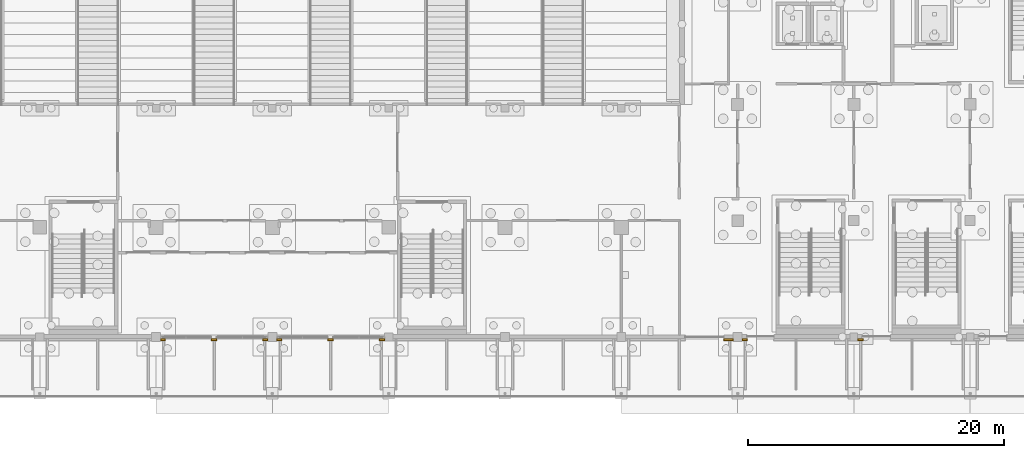
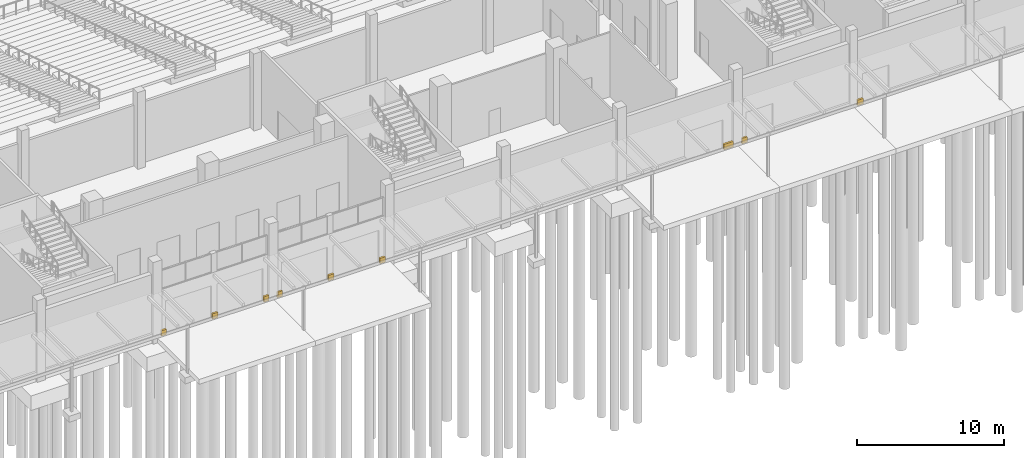
# One storey, part 123 of 129: 9 coverings.
"""IFC4 building model written with IfcOpenShell, lengths in metres."""

from ifc_helpers import new_model, si_unit, direction, frame, origin, origin_2d, place, context, subcontext, project, spatial, rectangle, extrude, material, layer, layer_set, type_object, element, save


model = new_model("IFC4")

# Units and contexts
model_context = context("Model", 3, precision=1e-05, world=origin(), true_north=direction((0.0, 1.0)))
body_context = subcontext(model_context, "Body", "Model", "MODEL_VIEW")
ifc_project = project(units=[si_unit("LENGTHUNIT", "METRE"), si_unit("AREAUNIT", "SQUARE_METRE"), si_unit("VOLUMEUNIT", "CUBIC_METRE"), si_unit("PLANEANGLEUNIT", "RADIAN"), si_unit("MASSUNIT", "GRAM", prefix="KILO")], contexts=[model_context])

# Site, building, storey
site_placement = place(None, origin())
site = spatial("IfcSite", under=ifc_project, at=site_placement, CompositionType="ELEMENT")
building_placement = place(site_placement, origin())
building = spatial("IfcBuilding", under=site, at=building_placement, Name="Shirokan Park Arena", CompositionType="ELEMENT")
storey_placement = place(building_placement, origin())
storey = spatial("IfcBuildingStorey", under=building, at=storey_placement, Name="L00", CompositionType="ELEMENT", Elevation=0.0)

# Coverings
ifc_material = material(Name="Natural stone", Category="masonry")
ifc_layer = layer(ifc_material, 0.14990234375)
ifc_layer_set = layer_set([ifc_layer], Name="Natural stone 150 mm")
covering_type = type_object("IfcCoveringType", Name="Stone plinth 150x450", PredefinedType="CLADDING", material=ifc_layer_set)
covering_1_placement = place(storey_placement, frame((64.242431640625, -0.22509765625, 0.0), z_axis=(0.0, 0.0, 1.0), x_axis=(1.0, 0.0, 0.0)))
element("IfcCovering", 1, at=covering_1_placement, inside=storey, type_object=covering_type, Name="Stone plinth south bay 8", PredefinedType="CLADDING", context=body_context, shape_type="SweptSolid", body=[
    extrude(rectangle(XDim=0.385009765625, YDim=0.14990234375, at=origin_2d()), origin(), (0.0, 0.0, 1.0), 0.449951171875),
])
covering_2_placement = place(storey_placement, frame((68.25, -0.22509765625, 0.0), z_axis=(0.0, 0.0, 1.0), x_axis=(1.0, 0.0, 0.0)))
element("IfcCovering", 2, at=covering_2_placement, inside=storey, type_object=covering_type, Name="Stone plinth south bay 8", PredefinedType="CLADDING", context=body_context, shape_type="SweptSolid", body=[
    extrude(rectangle(XDim=0.429931640625, YDim=0.14990234375, at=origin_2d()), origin(), (0.0, 0.0, 1.0), 0.449951171875),
])
for number, where, z_axis, x_axis, name in (
    (3, (72.257568359375, -0.22509765625, 0.0), (0.0, 0.0, 1.0), (1.0, 0.0, 0.0), "Stone plinth south bay 8"),
    (4, (73.342529296875, -0.22509765625, 0.0), (0.0, 0.0, 1.0), (1.0, 0.0, 0.0), "Stone plinth south bay 9"),
):
    element("IfcCovering", number, at=place(storey_placement, frame(where, z_axis=z_axis, x_axis=x_axis)), inside=storey, type_object=covering_type, Name=name, PredefinedType="CLADDING", context=body_context, shape_type="SweptSolid", body=[
        extrude(rectangle(XDim=0.385009765625, YDim=0.14990234375, at=origin_2d()), origin(), (0.0, 0.0, 1.0), 0.449951171875),
    ])
covering_3_placement = place(storey_placement, frame((77.35009765625, -0.22509765625, 0.0), z_axis=(0.0, 0.0, 1.0), x_axis=(1.0, 0.0, 0.0)))
element("IfcCovering", 5, at=covering_3_placement, inside=storey, type_object=covering_type, Name="Stone plinth south bay 9", PredefinedType="CLADDING", context=body_context, shape_type="SweptSolid", body=[
    extrude(rectangle(XDim=0.429931640625, YDim=0.14990234375, at=origin_2d()), origin(), (0.0, 0.0, 1.0), 0.449951171875),
])
covering_4_placement = place(storey_placement, frame((81.3701171875, -0.22509765625, 0.0), z_axis=(0.0, 0.0, 1.0), x_axis=(1.0, 0.0, 0.0)))
element("IfcCovering", 6, at=covering_4_placement, inside=storey, type_object=covering_type, Name="Stone plinth south bay 9", PredefinedType="CLADDING", context=body_context, shape_type="SweptSolid", body=[
    extrude(rectangle(XDim=0.409912109375, YDim=0.14990234375, at=origin_2d()), origin(), (0.0, 0.0, 1.0), 0.449951171875),
])
covering_5_placement = place(storey_placement, frame((108.487548828125, -0.22509765625, 0.0), z_axis=(0.0, 0.0, 1.0), x_axis=(1.0, 0.0, 0.0)))
element("IfcCovering", 7, at=covering_5_placement, inside=storey, type_object=covering_type, Name="Stone plinth south bay 12", PredefinedType="CLADDING", context=body_context, shape_type="SweptSolid", body=[
    extrude(rectangle(XDim=0.72509765625, YDim=0.14990234375, at=origin_2d()), origin(), (0.0, 0.0, 1.0), 0.449951171875),
])
covering_6_placement = place(storey_placement, frame((109.75, -0.22509765625, 0.0), z_axis=(0.0, 0.0, 1.0), x_axis=(1.0, 0.0, 0.0)))
element("IfcCovering", 8, at=covering_6_placement, inside=storey, type_object=covering_type, Name="Stone plinth south bay 13", PredefinedType="CLADDING", context=body_context, shape_type="SweptSolid", body=[
    extrude(rectangle(XDim=0.39990234375, YDim=0.14990234375, at=origin_2d()), origin(), (0.0, 0.0, 1.0), 0.449951171875),
])
covering_7_placement = place(storey_placement, frame((118.824951171875, -0.22509765625, 0.0), z_axis=(0.0, 0.0, 1.0), x_axis=(1.0, 0.0, 0.0)))
element("IfcCovering", 9, at=covering_7_placement, inside=storey, type_object=covering_type, Name="Stone plinth south bay 14", PredefinedType="CLADDING", context=body_context, shape_type="SweptSolid", body=[
    extrude(rectangle(XDim=0.449951171875, YDim=0.14990234375, at=origin_2d()), origin(), (0.0, 0.0, 1.0), 0.449951171875),
])

save(model, "model.ifc")
